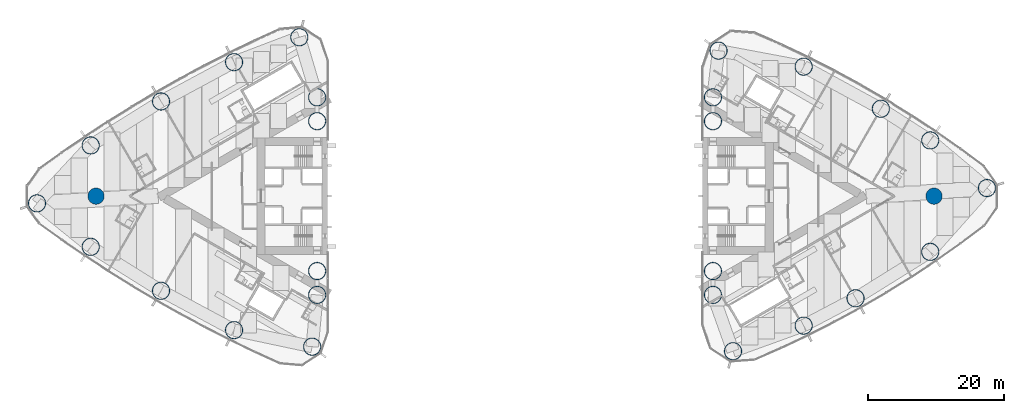
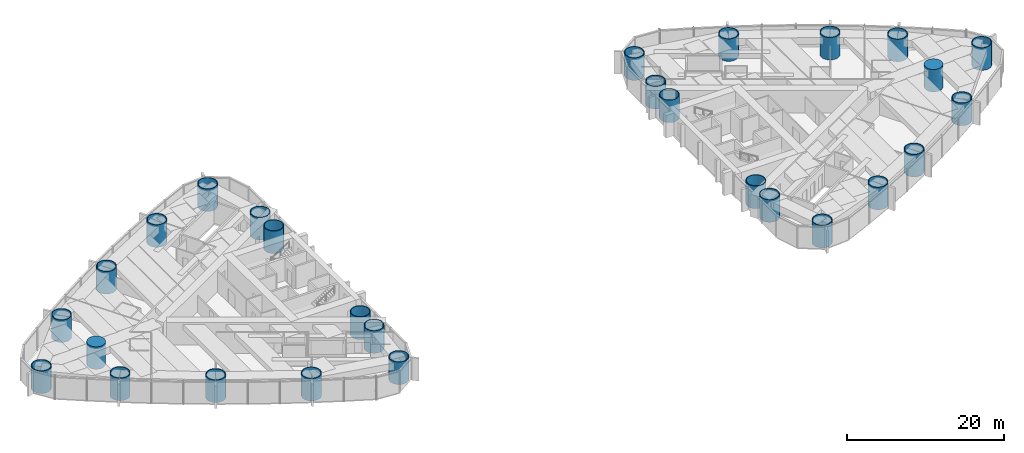
# One storey, part 1 of 18: 28 columns.
"""IFC4 building model written with IfcOpenShell, lengths in metres."""

from ifc_helpers import new_model, si_unit, direction, frame, origin, origin_2d, place, context, subcontext, project, spatial, circle, hollow_circle, extrude, material, material_profile, profile_set, type_object, element, save


model = new_model("IFC4")

# Units and contexts
model_context = context("Model", 3, precision=1e-05, world=origin(), true_north=direction((0.0, 1.0)))
body_context = subcontext(model_context, "Body", "Model", "MODEL_VIEW")
ifc_project = project(units=[si_unit("LENGTHUNIT", "METRE"), si_unit("AREAUNIT", "SQUARE_METRE"), si_unit("VOLUMEUNIT", "CUBIC_METRE"), si_unit("PLANEANGLEUNIT", "RADIAN"), si_unit("MASSUNIT", "GRAM", prefix="KILO")], contexts=[model_context])

# Site, building, storey
site_placement = place(None, origin())
site = spatial("IfcSite", under=ifc_project, at=site_placement, CompositionType="ELEMENT")
building_placement = place(site_placement, origin())
building = spatial("IfcBuilding", under=site, at=building_placement, Name="Lancet Gate Hotel", CompositionType="ELEMENT")
storey_placement = place(building_placement, frame((0.0, 0.0, 136.10009765625)))
storey = spatial("IfcBuildingStorey", under=building, at=storey_placement, Name="L36", CompositionType="ELEMENT", Elevation=136.10009765625)

# Columns
ifc_material_1 = material(Name="Concrete C80/95", Category="concrete")
ifc_material_profile_1 = material_profile(ifc_material_1, circle(Radius=1.199951171875, at=origin_2d()), Name="RC D2400")
ifc_profile_set_1 = profile_set([ifc_material_profile_1], Name="Concrete C80/95")
column_type_1 = type_object("IfcColumnType", Name="Apex column RC D2400", PredefinedType="COLUMN", material=ifc_profile_set_1)
for number, where, z_axis, x_axis, name in (
    (1, (-61.5, 0.0, 0.0), (0.0, 0.0, 1.0), (1.0, 0.0, 0.0), "T1 column AX L36"),
    (2, (61.5, 0.0, 0.0), (0.0, 0.0, 1.0), (1.0, 0.0, 0.0), "T2 column AX L36"),
):
    element("IfcColumn", number, at=place(storey_placement, frame(where, z_axis=z_axis, x_axis=x_axis)), inside=storey, type_object=column_type_1, Name=name, PredefinedType="COLUMN", context=body_context, shape_type="SweptSolid", body=[
        extrude(circle(Radius=1.199951171875, at=origin_2d()), origin(), (0.0, 0.0, 1.0), 3.5),
    ])
ifc_material_2 = material(Name="Composite filled tube, grade 460 plate, grade 80/95 fill", Category="composite")
ifc_material_profile_2 = material_profile(ifc_material_2, hollow_circle(Radius=1.300048828125, WallThickness=0.10009765625, at=origin_2d()), Name="CHS 2600x100")
ifc_profile_set_2 = profile_set([ifc_material_profile_2], Name="Composite filled tube, grade 460 plate, grade 80/95 fill")
column_type_2 = type_object("IfcColumnType", Name="Apex corner column CFT CHS 2600x100", PredefinedType="COLUMN", material=ifc_profile_set_2)
for number, where, z_axis, x_axis, name in (
    (3, (-70.16796875, -1.06005859375, 0.0), (0.0, 0.0, 1.0), (1.0, 0.0, 0.0), "T1 column CA L36"),
    (4, (69.268798828125, 1.1865234375, 0.0), (0.0, 0.0, 1.0), (1.0, 0.0, 0.0), "T2 column CA L36"),
):
    element("IfcColumn", number, at=place(storey_placement, frame(where, z_axis=z_axis, x_axis=x_axis)), inside=storey, type_object=column_type_2, Name=name, PredefinedType="COLUMN", context=body_context, shape_type="SweptSolid", body=[
        extrude(hollow_circle(Radius=1.300048828125, WallThickness=0.10009765625, at=origin_2d()), origin(), (0.0, 0.0, 1.0), 3.5),
    ])
ifc_material_3 = material(Name="Composite filled tube, grade 460 plate, grade 80/95 fill", Category="composite")
ifc_material_profile_3 = material_profile(ifc_material_3, hollow_circle(Radius=1.300048828125, WallThickness=0.10009765625, at=origin_2d()), Name="CHS 2600x100")
ifc_profile_set_3 = profile_set([ifc_material_profile_3], Name="Composite filled tube, grade 460 plate, grade 80/95 fill")
column_type_3 = type_object("IfcColumnType", Name="Perimeter column CFT CHS 2600x100", PredefinedType="COLUMN", material=ifc_profile_set_3)
for number, where, z_axis, x_axis, name in (
    (5, (-29.781005859375, -22.0947265625, 0.0), (0.0, 0.0, 1.0), (1.0, 0.0, 0.0), "T1 column CN L36"),
    (6, (-31.66455078125, 23.318359375, 0.0), (0.0, 0.0, 1.0), (1.0, 0.0, 0.0), "T1 column CS L36"),
    (7, (-29.050048828125, -11.0, 0.0), (0.0, 0.0, 1.0), (1.0, 0.0, 0.0), "T1 column IN L36"),
    (8, (-29.050048828125, 11.0, 0.0), (0.0, 0.0, 1.0), (1.0, 0.0, 0.0), "T1 column IS L36"),
    (9, (-29.050048828125, 14.5, 0.0), (0.0, 0.0, 1.0), (1.0, 0.0, 0.0), "T1 column IT L36"),
    (10, (-29.050048828125, -14.5, 0.0), (0.0, 0.0, 1.0), (1.0, 0.0, 0.0), "T1 column JT L36"),
    (11, (-62.28662109375, -7.444580078125, 0.0), (0.0, 0.0, 1.0), (1.0, 0.0, 0.0), "T1 column ON1 L36"),
    (12, (-51.963134765625, -13.89501953125, 0.0), (0.0, 0.0, 1.0), (1.0, 0.0, 0.0), "T1 column ON2 L36"),
    (13, (-41.244873046875, -19.665771484375, 0.0), (0.0, 0.0, 1.0), (1.0, 0.0, 0.0), "T1 column ON3 L36"),
    (14, (-41.244873046875, 19.665771484375, 0.0), (0.0, 0.0, 1.0), (1.0, 0.0, 0.0), "T1 column OS1 L36"),
    (15, (-51.963134765625, 13.89501953125, 0.0), (0.0, 0.0, 1.0), (1.0, 0.0, 0.0), "T1 column OS2 L36"),
    (16, (-62.28662109375, 7.444580078125, 0.0), (0.0, 0.0, 1.0), (1.0, 0.0, 0.0), "T1 column OS3 L36"),
    (17, (29.8720703125, 21.35498046875, 0.0), (0.0, 0.0, 1.0), (1.0, 0.0, 0.0), "T2 column CN L36"),
    (18, (31.99609375, -22.76318359375, 0.0), (0.0, 0.0, 1.0), (1.0, 0.0, 0.0), "T2 column CS L36"),
    (19, (29.050048828125, 11.0, 0.0), (0.0, 0.0, 1.0), (1.0, 0.0, 0.0), "T2 column IN L36"),
    (20, (29.050048828125, -11.0, 0.0), (0.0, 0.0, 1.0), (1.0, 0.0, 0.0), "T2 column IS L36"),
    (21, (29.050048828125, -14.5, 0.0), (0.0, 0.0, 1.0), (1.0, 0.0, 0.0), "T2 column IT L36"),
    (22, (29.050048828125, 14.5, 0.0), (0.0, 0.0, 1.0), (1.0, 0.0, 0.0), "T2 column JT L36"),
    (23, (60.940673828125, 8.18115234375, 0.0), (0.0, 0.0, 1.0), (1.0, 0.0, 0.0), "T2 column ON1 L36"),
    (24, (53.697021484375, 12.827392578125, 0.0), (0.0, 0.0, 1.0), (1.0, 0.0, 0.0), "T2 column ON2 L36"),
    (25, (42.3662109375, 19.007080078125, 0.0), (0.0, 0.0, 1.0), (1.0, 0.0, 0.0), "T2 column ON3 L36"),
    (26, (42.3662109375, -19.007080078125, 0.0), (0.0, 0.0, 1.0), (1.0, 0.0, 0.0), "T2 column OS1 L36"),
    (27, (49.97900390625, -14.994384765625, 0.0), (0.0, 0.0, 1.0), (1.0, 0.0, 0.0), "T2 column OS2 L36"),
    (28, (60.940673828125, -8.18115234375, 0.0), (0.0, 0.0, 1.0), (1.0, 0.0, 0.0), "T2 column OS3 L36"),
):
    element("IfcColumn", number, at=place(storey_placement, frame(where, z_axis=z_axis, x_axis=x_axis)), inside=storey, type_object=column_type_3, Name=name, PredefinedType="COLUMN", context=body_context, shape_type="SweptSolid", body=[
        extrude(hollow_circle(Radius=1.300048828125, WallThickness=0.10009765625, at=origin_2d()), origin(), (0.0, 0.0, 1.0), 3.5),
    ])

save(model, "model.ifc")
